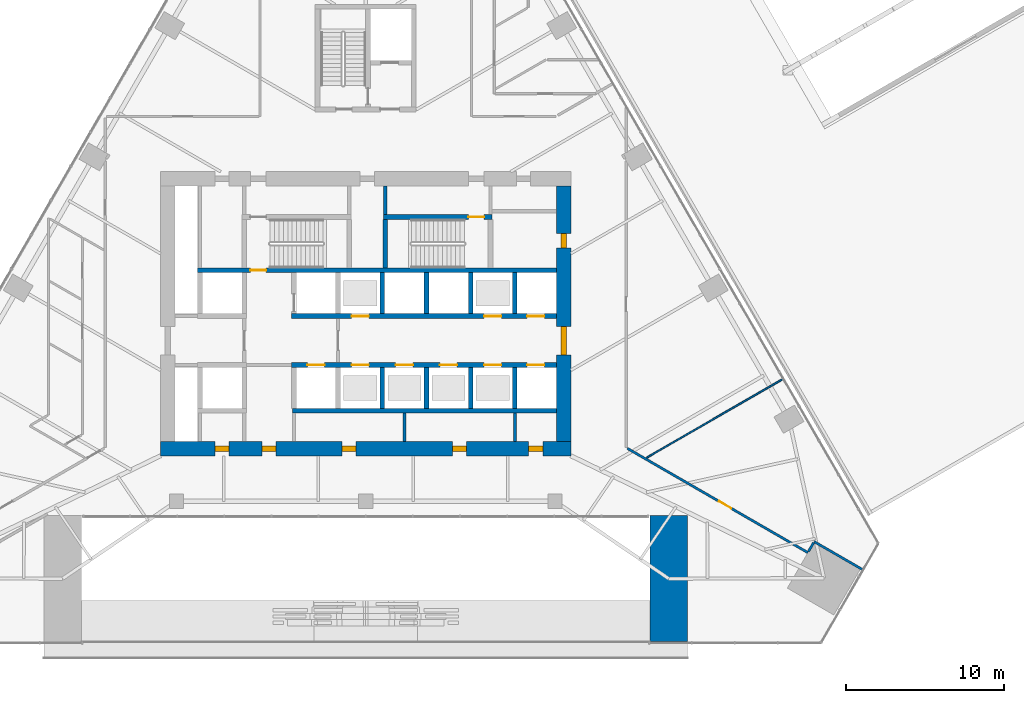
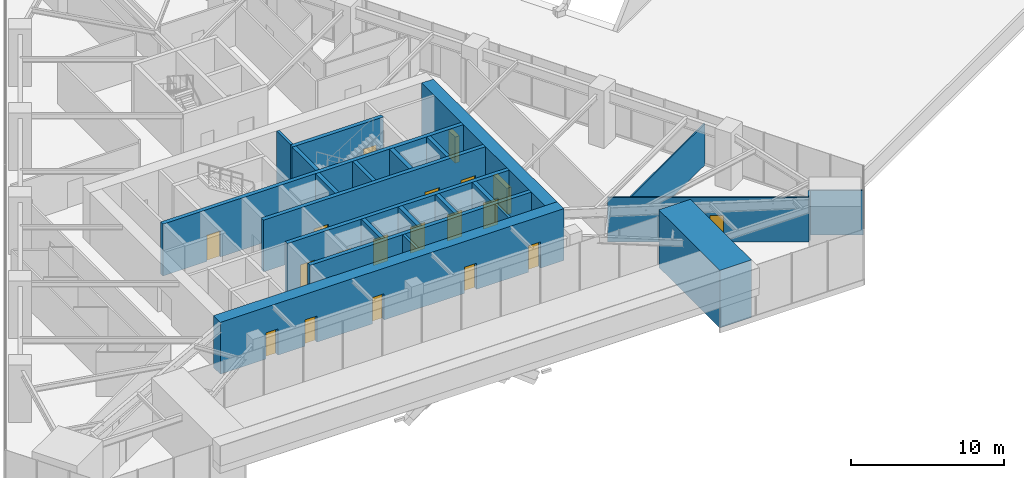
# One storey, part 19 of 23: 24 walls, 19 doors, 19 openings.
"""IFC4 building model written with IfcOpenShell, lengths in metres."""

from ifc_helpers import new_model, si_unit, direction, frame, frame_2d, origin, place, context, subcontext, project, spatial, rectangle, extrude, material, layer, layer_set, type_object, element, fill, save


model = new_model("IFC4")

# Units and contexts
model_context = context("Model", 3, precision=1e-05, world=origin(), true_north=direction((0.0, 1.0)))
body_context = subcontext(model_context, "Body", "Model", "MODEL_VIEW")
ifc_project = project(units=[si_unit("LENGTHUNIT", "METRE"), si_unit("AREAUNIT", "SQUARE_METRE"), si_unit("VOLUMEUNIT", "CUBIC_METRE"), si_unit("PLANEANGLEUNIT", "RADIAN"), si_unit("MASSUNIT", "GRAM", prefix="KILO")], contexts=[model_context])

# Site, building, storey
site_placement = place(None, origin())
site = spatial("IfcSite", under=ifc_project, at=site_placement, CompositionType="ELEMENT")
building_placement = place(site_placement, origin())
building = spatial("IfcBuilding", under=site, at=building_placement, Name="Firuza Gate Tower and Library", CompositionType="ELEMENT")
storey_placement = place(building_placement, frame((0.0, 0.0, 26.39990234375)))
storey = spatial("IfcBuildingStorey", under=building, at=storey_placement, Name="L05", CompositionType="ELEMENT", Elevation=26.39990234375)

# Walls
ifc_material_1 = material(Name="Plasterboard on steel studs", Category="steel")
ifc_layer_1 = layer(ifc_material_1, 0.199951171875)
ifc_layer_set_1 = layer_set([ifc_layer_1], Name="Core partition 200 EI 120")
wall_type_1 = type_object("IfcWallType", Name="Core partition 200 EI 120", PredefinedType="PARTITIONING", material=ifc_layer_set_1)
for number, where, z_axis, x_axis, name in (
    (1, (77.449951171875, 66.89990234375, 0.0), (0.0, 0.0, 1.0), (0.0, 1.0, 0.0), "Core partition L05 14"),
    (2, (84.449951171875, 66.89990234375, 0.0), (0.0, 0.0, 1.0), (0.0, 1.0, 0.0), "Core partition L05 16"),
):
    element("IfcWall", number, at=place(storey_placement, frame(where, z_axis=z_axis, x_axis=x_axis)), inside=storey, type_object=wall_type_1, Name=name, PredefinedType="PARTITIONING", context=body_context, shape_type="SweptSolid", body=[
        extrude(rectangle(XDim=1.800048828125, YDim=0.199951171875, at=frame_2d((0.89990234375, 0.0))), origin(), (0.0, 0.0, 1.0), 4.150146484375),
    ])
ifc_material_2 = material(Name="Plasterboard on steel studs", Category="steel")
ifc_layer_2 = layer(ifc_material_2, 0.199951171875)
ifc_layer_set_2 = layer_set([ifc_layer_2], Name="Core partition 200 EI 60")
wall_type_2 = type_object("IfcWallType", Name="Core partition 200 EI 60", PredefinedType="PARTITIONING", material=ifc_layer_set_2)
wall_1_placement = place(storey_placement, frame((76.239990234375, 81.280029296875, 0.0), z_axis=(0.0, 0.0, 1.0), x_axis=(0.0, 1.0, 0.0)))
element("IfcWall", 3, at=wall_1_placement, inside=storey, type_object=wall_type_2, Name="Core partition L05 13", PredefinedType="PARTITIONING", context=body_context, shape_type="SweptSolid", body=[
    extrude(rectangle(XDim=1.820068359375, YDim=0.199951171875, at=frame_2d((0.91015625, 0.0))), origin(), (0.0, 0.0, 1.0), 4.150146484375),
])
ifc_material_3 = material(Name="Concrete C80/95", Category="concrete")
ifc_layer_3 = layer(ifc_material_3, 0.300048828125)
ifc_layer_set_3 = layer_set([ifc_layer_3], Name="Core wall 300 C80/95")
wall_type_3 = type_object("IfcWallType", Name="Core wall 300 C80/95", PredefinedType="SHEAR", material=ifc_layer_set_3)
wall_2_placement = place(storey_placement, frame((70.35009765625, 68.85009765625, 0.0), z_axis=(0.0, 0.0, 1.0), x_axis=(1.0, 0.0, 0.0)))
element("IfcWall", 4, at=wall_2_placement, inside=storey, type_object=wall_type_3, Name="Core wall L05 6", PredefinedType="SHEAR", context=body_context, shape_type="SweptSolid", body=[
    extrude(rectangle(XDim=16.75, YDim=0.300048828125, at=frame_2d((8.375, 0.0))), origin(), (0.0, 0.0, 1.0), 4.150146484375),
])

# Wall, openings, doors
wall_3_placement = place(storey_placement, frame((70.300048828125, 71.75, 0.0), z_axis=(0.0, 0.0, 1.0), x_axis=(1.0, 0.0, 0.0)))
wall_3 = element("IfcWall", 5, at=wall_3_placement, inside=storey, type_object=wall_type_3, Name="Core wall L05 8", PredefinedType="SHEAR", context=body_context, shape_type="SweptSolid", body=[
    extrude(rectangle(XDim=16.800048828125, YDim=0.300048828125, at=frame_2d((8.39990234375, 0.0))), origin(), (0.0, 0.0, 1.0), 4.150146484375),
])
opening_1_placement = place(wall_3_placement, frame((1.0, 0.0, 0.0)))
opening_1 = element("IfcOpeningElement", 6, at=opening_1_placement, cuts=wall_3, Name="Opening LD-FF1-L05", PredefinedType="OPENING", context=body_context, shape_type="SweptSolid", body=[
    extrude(rectangle(XDim=1.10009765625, YDim=2.10009765625, at=frame_2d((0.550048828125, 1.050048828125))), frame((0.0, 0.16015625, 0.0), z_axis=(0.0, -1.0, 0.0), x_axis=(1.0, 0.0, 0.0)), (0.0, 0.0, 1.0), 0.320068359375),
])
opening_2_placement = place(wall_3_placement, frame((3.800048828125, 0.0, 0.0)))
opening_2 = element("IfcOpeningElement", 7, at=opening_2_placement, cuts=wall_3, Name="Opening LD-LR1-L05", PredefinedType="OPENING", context=body_context, shape_type="SweptSolid", body=[
    extrude(rectangle(XDim=1.10009765625, YDim=2.10009765625, at=frame_2d((0.550048828125, 1.050048828125))), frame((0.0, 0.16015625, 0.0), z_axis=(0.0, -1.0, 0.0), x_axis=(1.0, 0.0, 0.0)), (0.0, 0.0, 1.0), 0.320068359375),
])
opening_3_placement = place(wall_3_placement, frame((6.60009765625, 0.0, 0.0)))
opening_3 = element("IfcOpeningElement", 8, at=opening_3_placement, cuts=wall_3, Name="Opening LD-LR2-L05", PredefinedType="OPENING", context=body_context, shape_type="SweptSolid", body=[
    extrude(rectangle(XDim=1.10009765625, YDim=2.10009765625, at=frame_2d((0.550048828125, 1.050048828125))), frame((0.0, 0.16015625, 0.0), z_axis=(0.0, -1.0, 0.0), x_axis=(1.0, 0.0, 0.0)), (0.0, 0.0, 1.0), 0.320068359375),
])
opening_4_placement = place(wall_3_placement, frame((9.39990234375, 0.0, 0.0)))
opening_4 = element("IfcOpeningElement", 9, at=opening_4_placement, cuts=wall_3, Name="Opening LD-LR3-L05", PredefinedType="OPENING", context=body_context, shape_type="SweptSolid", body=[
    extrude(rectangle(XDim=1.10009765625, YDim=2.10009765625, at=frame_2d((0.550048828125, 1.050048828125))), frame((0.0, 0.16015625, 0.0), z_axis=(0.0, -1.0, 0.0), x_axis=(1.0, 0.0, 0.0)), (0.0, 0.0, 1.0), 0.320068359375),
])
opening_5_placement = place(wall_3_placement, frame((12.199951171875, 0.0, 0.0)))
opening_5 = element("IfcOpeningElement", 10, at=opening_5_placement, cuts=wall_3, Name="Opening LD-LR5-L05", PredefinedType="OPENING", context=body_context, shape_type="SweptSolid", body=[
    extrude(rectangle(XDim=1.10009765625, YDim=2.10009765625, at=frame_2d((0.550048828125, 1.050048828125))), frame((0.0, 0.16015625, 0.0), z_axis=(0.0, -1.0, 0.0), x_axis=(1.0, 0.0, 0.0)), (0.0, 0.0, 1.0), 0.320068359375),
])
opening_6_placement = place(wall_3_placement, frame((14.925048828125, 0.0, 0.0)))
opening_6 = element("IfcOpeningElement", 11, at=opening_6_placement, cuts=wall_3, Name="Opening LD-LR7-L05", PredefinedType="OPENING", context=body_context, shape_type="SweptSolid", body=[
    extrude(rectangle(XDim=1.10009765625, YDim=2.10009765625, at=frame_2d((0.550048828125, 1.050048828125))), frame((0.0, 0.16015625, 0.0), z_axis=(0.0, -1.0, 0.0), x_axis=(1.0, 0.0, 0.0)), (0.0, 0.0, 1.0), 0.320068359375),
])
ifc_material_4 = material(Name="Stainless steel", Category="steel")
door_type_1 = type_object("IfcDoorType", Name="Lift landing door 1100x2100", OperationType="DOUBLE_DOOR_SLIDING", PredefinedType="DOOR", material=ifc_material_4)
door_1_placement = place(opening_1_placement, origin())
door_1 = element("IfcDoor", 12, at=door_1_placement, inside=storey, type_object=door_type_1, Name="Landing door FF1 L05", OperationType="DOUBLE_DOOR_SLIDING", OverallHeight=2.10009765625, OverallWidth=1.10009765625, PredefinedType="DOOR", context=body_context, shape_type="SweptSolid", body=[
    extrude(rectangle(XDim=1.10009765625, YDim=2.10009765625, at=frame_2d((0.550048828125, 1.050048828125))), frame((0.0, 0.02490234375, 0.0), z_axis=(0.0, -1.0, 0.0), x_axis=(1.0, 0.0, 0.0)), (0.0, 0.0, 1.0), 0.050048828125),
])
fill(opening_1, door_1)
door_2_placement = place(opening_2_placement, origin())
door_2 = element("IfcDoor", 13, at=door_2_placement, inside=storey, type_object=door_type_1, Name="Landing door LR1 L05", OperationType="DOUBLE_DOOR_SLIDING", OverallHeight=2.10009765625, OverallWidth=1.10009765625, PredefinedType="DOOR", context=body_context, shape_type="SweptSolid", body=[
    extrude(rectangle(XDim=1.10009765625, YDim=2.10009765625, at=frame_2d((0.550048828125, 1.050048828125))), frame((0.0, 0.02490234375, 0.0), z_axis=(0.0, -1.0, 0.0), x_axis=(1.0, 0.0, 0.0)), (0.0, 0.0, 1.0), 0.050048828125),
])
fill(opening_2, door_2)
door_3_placement = place(opening_3_placement, origin())
door_3 = element("IfcDoor", 14, at=door_3_placement, inside=storey, type_object=door_type_1, Name="Landing door LR2 L05", OperationType="DOUBLE_DOOR_SLIDING", OverallHeight=2.10009765625, OverallWidth=1.10009765625, PredefinedType="DOOR", context=body_context, shape_type="SweptSolid", body=[
    extrude(rectangle(XDim=1.10009765625, YDim=2.10009765625, at=frame_2d((0.550048828125, 1.050048828125))), frame((0.0, 0.02490234375, 0.0), z_axis=(0.0, -1.0, 0.0), x_axis=(1.0, 0.0, 0.0)), (0.0, 0.0, 1.0), 0.050048828125),
])
fill(opening_3, door_3)
door_4_placement = place(opening_4_placement, origin())
door_4 = element("IfcDoor", 15, at=door_4_placement, inside=storey, type_object=door_type_1, Name="Landing door LR3 L05", OperationType="DOUBLE_DOOR_SLIDING", OverallHeight=2.10009765625, OverallWidth=1.10009765625, PredefinedType="DOOR", context=body_context, shape_type="SweptSolid", body=[
    extrude(rectangle(XDim=1.10009765625, YDim=2.10009765625, at=frame_2d((0.550048828125, 1.050048828125))), frame((0.0, 0.02490234375, 0.0), z_axis=(0.0, -1.0, 0.0), x_axis=(1.0, 0.0, 0.0)), (0.0, 0.0, 1.0), 0.050048828125),
])
fill(opening_4, door_4)
door_5_placement = place(opening_5_placement, origin())
door_5 = element("IfcDoor", 16, at=door_5_placement, inside=storey, type_object=door_type_1, Name="Landing door LR5 L05", OperationType="DOUBLE_DOOR_SLIDING", OverallHeight=2.10009765625, OverallWidth=1.10009765625, PredefinedType="DOOR", context=body_context, shape_type="SweptSolid", body=[
    extrude(rectangle(XDim=1.10009765625, YDim=2.10009765625, at=frame_2d((0.550048828125, 1.050048828125))), frame((0.0, 0.02490234375, 0.0), z_axis=(0.0, -1.0, 0.0), x_axis=(1.0, 0.0, 0.0)), (0.0, 0.0, 1.0), 0.050048828125),
])
fill(opening_5, door_5)
door_6_placement = place(opening_6_placement, origin())
door_6 = element("IfcDoor", 17, at=door_6_placement, inside=storey, type_object=door_type_1, Name="Landing door LR7 L05", OperationType="DOUBLE_DOOR_SLIDING", OverallHeight=2.10009765625, OverallWidth=1.10009765625, PredefinedType="DOOR", context=body_context, shape_type="SweptSolid", body=[
    extrude(rectangle(XDim=1.10009765625, YDim=2.10009765625, at=frame_2d((0.550048828125, 1.050048828125))), frame((0.0, 0.02490234375, 0.0), z_axis=(0.0, -1.0, 0.0), x_axis=(1.0, 0.0, 0.0)), (0.0, 0.0, 1.0), 0.050048828125),
])
fill(opening_6, door_6)

wall_4_placement = place(storey_placement, frame((70.300048828125, 74.85009765625, 0.0), z_axis=(0.0, 0.0, 1.0), x_axis=(1.0, 0.0, 0.0)))
wall_4 = element("IfcWall", 18, at=wall_4_placement, inside=storey, type_object=wall_type_3, Name="Core wall L05 10", PredefinedType="SHEAR", context=body_context, shape_type="SweptSolid", body=[
    extrude(rectangle(XDim=16.800048828125, YDim=0.300048828125, at=frame_2d((8.39990234375, 0.0))), origin(), (0.0, 0.0, 1.0), 4.150146484375),
])
opening_7_placement = place(wall_4_placement, frame((3.800048828125, 0.0, 0.0)))
opening_7 = element("IfcOpeningElement", 19, at=opening_7_placement, cuts=wall_4, Name="Opening LD-LR4-L05", PredefinedType="OPENING", context=body_context, shape_type="SweptSolid", body=[
    extrude(rectangle(XDim=1.10009765625, YDim=2.10009765625, at=frame_2d((0.550048828125, 1.050048828125))), frame((0.0, 0.16015625, 0.0), z_axis=(0.0, -1.0, 0.0), x_axis=(1.0, 0.0, 0.0)), (0.0, 0.0, 1.0), 0.320068359375),
])
opening_8_placement = place(wall_4_placement, frame((12.199951171875, 0.0, 0.0)))
opening_8 = element("IfcOpeningElement", 20, at=opening_8_placement, cuts=wall_4, Name="Opening LD-LR6-L05", PredefinedType="OPENING", context=body_context, shape_type="SweptSolid", body=[
    extrude(rectangle(XDim=1.10009765625, YDim=2.10009765625, at=frame_2d((0.550048828125, 1.050048828125))), frame((0.0, 0.16015625, 0.0), z_axis=(0.0, -1.0, 0.0), x_axis=(1.0, 0.0, 0.0)), (0.0, 0.0, 1.0), 0.320068359375),
])
opening_9_placement = place(wall_4_placement, frame((14.925048828125, 0.0, 0.0)))
opening_9 = element("IfcOpeningElement", 21, at=opening_9_placement, cuts=wall_4, Name="Opening LD-LR8-L05", PredefinedType="OPENING", context=body_context, shape_type="SweptSolid", body=[
    extrude(rectangle(XDim=1.10009765625, YDim=2.10009765625, at=frame_2d((0.550048828125, 1.050048828125))), frame((0.0, 0.16015625, 0.0), z_axis=(0.0, -1.0, 0.0), x_axis=(1.0, 0.0, 0.0)), (0.0, 0.0, 1.0), 0.320068359375),
])
door_7_placement = place(opening_7_placement, origin())
door_7 = element("IfcDoor", 22, at=door_7_placement, inside=storey, type_object=door_type_1, Name="Landing door LR4 L05", OperationType="DOUBLE_DOOR_SLIDING", OverallHeight=2.10009765625, OverallWidth=1.10009765625, PredefinedType="DOOR", context=body_context, shape_type="SweptSolid", body=[
    extrude(rectangle(XDim=1.10009765625, YDim=2.10009765625, at=frame_2d((0.550048828125, 1.050048828125))), frame((0.0, 0.02490234375, 0.0), z_axis=(0.0, -1.0, 0.0), x_axis=(1.0, 0.0, 0.0)), (0.0, 0.0, 1.0), 0.050048828125),
])
fill(opening_7, door_7)
door_8_placement = place(opening_8_placement, origin())
door_8 = element("IfcDoor", 23, at=door_8_placement, inside=storey, type_object=door_type_1, Name="Landing door LR6 L05", OperationType="DOUBLE_DOOR_SLIDING", OverallHeight=2.10009765625, OverallWidth=1.10009765625, PredefinedType="DOOR", context=body_context, shape_type="SweptSolid", body=[
    extrude(rectangle(XDim=1.10009765625, YDim=2.10009765625, at=frame_2d((0.550048828125, 1.050048828125))), frame((0.0, 0.02490234375, 0.0), z_axis=(0.0, -1.0, 0.0), x_axis=(1.0, 0.0, 0.0)), (0.0, 0.0, 1.0), 0.050048828125),
])
fill(opening_8, door_8)
door_9_placement = place(opening_9_placement, origin())
door_9 = element("IfcDoor", 24, at=door_9_placement, inside=storey, type_object=door_type_1, Name="Landing door LR8 L05", OperationType="DOUBLE_DOOR_SLIDING", OverallHeight=2.10009765625, OverallWidth=1.10009765625, PredefinedType="DOOR", context=body_context, shape_type="SweptSolid", body=[
    extrude(rectangle(XDim=1.10009765625, YDim=2.10009765625, at=frame_2d((0.550048828125, 1.050048828125))), frame((0.0, 0.02490234375, 0.0), z_axis=(0.0, -1.0, 0.0), x_axis=(1.0, 0.0, 0.0)), (0.0, 0.0, 1.0), 0.050048828125),
])
fill(opening_9, door_9)

# Walls
for number, where, z_axis, x_axis, name in (
    (25, (76.050048828125, 69.0, 0.0), (0.0, 0.0, 1.0), (0.0, 1.0, 0.0), "Core wall L05 19"),
    (26, (76.050048828125, 75.0, 0.0), (0.0, 0.0, 1.0), (0.0, 1.0, 0.0), "Core wall L05 20"),
    (27, (78.85009765625, 69.0, 0.0), (0.0, 0.0, 1.0), (0.0, 1.0, 0.0), "Core wall L05 21"),
    (28, (78.85009765625, 75.0, 0.0), (0.0, 0.0, 1.0), (0.0, 1.0, 0.0), "Core wall L05 22"),
    (29, (81.64990234375, 69.0, 0.0), (0.0, 0.0, 1.0), (0.0, 1.0, 0.0), "Core wall L05 23"),
    (30, (81.64990234375, 75.0, 0.0), (0.0, 0.0, 1.0), (0.0, 1.0, 0.0), "Core wall L05 24"),
    (31, (84.449951171875, 69.0, 0.0), (0.0, 0.0, 1.0), (0.0, 1.0, 0.0), "Core wall L05 25"),
    (32, (84.449951171875, 75.0, 0.0), (0.0, 0.0, 1.0), (0.0, 1.0, 0.0), "Core wall L05 26"),
):
    element("IfcWall", number, at=place(storey_placement, frame(where, z_axis=z_axis, x_axis=x_axis)), inside=storey, type_object=wall_type_3, Name=name, PredefinedType="SHEAR", context=body_context, shape_type="SweptSolid", body=[
        extrude(rectangle(XDim=2.60009765625, YDim=0.300048828125, at=frame_2d((1.300048828125, 0.0))), origin(), (0.0, 0.0, 1.0), 4.150146484375),
    ])

# Wall, opening, door
wall_5_placement = place(storey_placement, frame((64.35009765625, 77.75, 0.0), z_axis=(0.0, 0.0, 1.0), x_axis=(1.0, 0.0, 0.0)))
wall_5 = element("IfcWall", 33, at=wall_5_placement, inside=storey, type_object=wall_type_3, Name="Core wall L05 27", PredefinedType="SHEAR", context=body_context, shape_type="SweptSolid", body=[
    extrude(rectangle(XDim=22.75, YDim=0.300048828125, at=frame_2d((11.375, 0.0))), origin(), (0.0, 0.0, 1.0), 4.150146484375),
])
opening_10_placement = place(wall_5_placement, frame((3.344970703125, 0.0, 0.0)))
opening_10 = element("IfcOpeningElement", 34, at=opening_10_placement, cuts=wall_5, Name="Opening L05-K12", PredefinedType="OPENING", context=body_context, shape_type="SweptSolid", body=[
    extrude(rectangle(XDim=1.0, YDim=2.10009765625, at=frame_2d((0.5, 1.050048828125))), frame((0.0, 0.16015625, 0.0), z_axis=(0.0, -1.0, 0.0), x_axis=(1.0, 0.0, 0.0)), (0.0, 0.0, 1.0), 0.320068359375),
])
ifc_material_5 = material(Name="Steel", Category="steel")
door_type_2 = type_object("IfcDoorType", Name="Fire door 1000x2100 FD90", OperationType="NOTDEFINED", PredefinedType="DOOR", material=ifc_material_5)
door_10_placement = place(opening_10_placement, origin())
door_10 = element("IfcDoor", 35, at=door_10_placement, inside=storey, type_object=door_type_2, Name="Door L05-K12", OperationType="SINGLE_SWING_LEFT", OverallHeight=2.10009765625, OverallWidth=1.0, PredefinedType="DOOR", context=body_context, shape_type="SweptSolid", body=[
    extrude(rectangle(XDim=1.0, YDim=2.10009765625, at=frame_2d((0.5, 1.050048828125))), frame((0.0, 0.02490234375, 0.0), z_axis=(0.0, -1.0, 0.0), x_axis=(1.0, 0.0, 0.0)), (0.0, 0.0, 1.0), 0.050048828125),
])
fill(opening_10, door_10)

wall_6_placement = place(storey_placement, frame((76.139892578125, 81.1298828125, 0.0), z_axis=(0.0, 0.0, 1.0), x_axis=(1.0, 0.0, 0.0)))
wall_6 = element("IfcWall", 36, at=wall_6_placement, inside=storey, type_object=wall_type_3, Name="Core wall L05 29", PredefinedType="SHEAR", context=body_context, shape_type="SweptSolid", body=[
    extrude(rectangle(XDim=6.860107421875, YDim=0.300048828125, at=frame_2d((3.43017578125, 0.0))), origin(), (0.0, 0.0, 1.0), 4.150146484375),
])
opening_11_placement = place(wall_6_placement, frame((5.364990234375, 0.0, 0.0)))
opening_11 = element("IfcOpeningElement", 37, at=opening_11_placement, cuts=wall_6, Name="Opening L05-K15", PredefinedType="OPENING", context=body_context, shape_type="SweptSolid", body=[
    extrude(rectangle(XDim=1.0, YDim=2.10009765625, at=frame_2d((0.5, 1.050048828125))), frame((0.0, 0.16015625, 0.0), z_axis=(0.0, -1.0, 0.0), x_axis=(1.0, 0.0, 0.0)), (0.0, 0.0, 1.0), 0.320068359375),
])
door_11_placement = place(opening_11_placement, origin())
door_11 = element("IfcDoor", 38, at=door_11_placement, inside=storey, type_object=door_type_2, Name="Door L05-K15", OperationType="SINGLE_SWING_RIGHT", OverallHeight=2.10009765625, OverallWidth=1.0, PredefinedType="DOOR", context=body_context, shape_type="SweptSolid", body=[
    extrude(rectangle(XDim=1.0, YDim=2.10009765625, at=frame_2d((0.5, 1.050048828125))), frame((0.0, 0.02490234375, 0.0), z_axis=(0.0, -1.0, 0.0), x_axis=(1.0, 0.0, 0.0)), (0.0, 0.0, 1.0), 0.050048828125),
])
fill(opening_11, door_11)

# Wall
wall_7_placement = place(storey_placement, frame((76.239990234375, 77.89990234375, 0.0), z_axis=(0.0, 0.0, 1.0), x_axis=(0.0, 1.0, 0.0)))
element("IfcWall", 39, at=wall_7_placement, inside=storey, type_object=wall_type_3, Name="Core wall L05 32", PredefinedType="SHEAR", context=body_context, shape_type="SweptSolid", body=[
    extrude(rectangle(XDim=3.080078125, YDim=0.300048828125, at=frame_2d((1.5400390625, 0.0))), origin(), (0.0, 0.0, 1.0), 4.150146484375),
])

# Wall, openings, doors
ifc_material_6 = material(Name="Concrete C80/95", Category="concrete")
ifc_layer_4 = layer(ifc_material_6, 0.89990234375)
ifc_layer_set_4 = layer_set([ifc_layer_4], Name="Core wall 900 C80/95")
wall_type_4 = type_object("IfcWallType", Name="Core wall 900 C80/95", PredefinedType="SHEAR", material=ifc_layer_set_4)
wall_8_placement = place(storey_placement, frame((62.0, 66.449951171875, 0.0), z_axis=(0.0, 0.0, 1.0), x_axis=(1.0, 0.0, 0.0)))
wall_8 = element("IfcWall", 40, at=wall_8_placement, inside=storey, type_object=wall_type_4, Name="Core wall L05 1", PredefinedType="SHEAR", context=body_context, shape_type="SweptSolid", body=[
    extrude(rectangle(XDim=26.0, YDim=0.89990234375, at=frame_2d((13.0, 0.0))), origin(), (0.0, 0.0, 1.0), 4.150146484375),
])
opening_12_placement = place(wall_8_placement, frame((3.449951171875, 0.0, 0.0)))
opening_12 = element("IfcOpeningElement", 41, at=opening_12_placement, cuts=wall_8, Name="Opening L05-K24", PredefinedType="OPENING", context=body_context, shape_type="SweptSolid", body=[
    extrude(rectangle(XDim=0.89990234375, YDim=2.10009765625, at=frame_2d((0.449951171875, 1.050048828125))), frame((0.0, 0.4599609375, 0.0), z_axis=(0.0, -1.0, 0.0), x_axis=(1.0, 0.0, 0.0)), (0.0, 0.0, 1.0), 0.919921875),
])
opening_13_placement = place(wall_8_placement, frame((6.425048828125, 0.0, 0.0)))
opening_13 = element("IfcOpeningElement", 42, at=opening_13_placement, cuts=wall_8, Name="Opening L05-K25", PredefinedType="OPENING", context=body_context, shape_type="SweptSolid", body=[
    extrude(rectangle(XDim=0.89990234375, YDim=2.10009765625, at=frame_2d((0.449951171875, 1.050048828125))), frame((0.0, 0.4599609375, 0.0), z_axis=(0.0, -1.0, 0.0), x_axis=(1.0, 0.0, 0.0)), (0.0, 0.0, 1.0), 0.919921875),
])
opening_14_placement = place(wall_8_placement, frame((11.5, 0.0, 0.0)))
opening_14 = element("IfcOpeningElement", 43, at=opening_14_placement, cuts=wall_8, Name="Opening L05-K26", PredefinedType="OPENING", context=body_context, shape_type="SweptSolid", body=[
    extrude(rectangle(XDim=0.89990234375, YDim=2.10009765625, at=frame_2d((0.449951171875, 1.050048828125))), frame((0.0, 0.4599609375, 0.0), z_axis=(0.0, -1.0, 0.0), x_axis=(1.0, 0.0, 0.0)), (0.0, 0.0, 1.0), 0.919921875),
])
opening_15_placement = place(wall_8_placement, frame((18.5, 0.0, 0.0)))
opening_15 = element("IfcOpeningElement", 44, at=opening_15_placement, cuts=wall_8, Name="Opening L05-K27", PredefinedType="OPENING", context=body_context, shape_type="SweptSolid", body=[
    extrude(rectangle(XDim=0.89990234375, YDim=2.10009765625, at=frame_2d((0.449951171875, 1.050048828125))), frame((0.0, 0.4599609375, 0.0), z_axis=(0.0, -1.0, 0.0), x_axis=(1.0, 0.0, 0.0)), (0.0, 0.0, 1.0), 0.919921875),
])
opening_16_placement = place(wall_8_placement, frame((23.324951171875, 0.0, 0.0)))
opening_16 = element("IfcOpeningElement", 45, at=opening_16_placement, cuts=wall_8, Name="Opening L05-K28", PredefinedType="OPENING", context=body_context, shape_type="SweptSolid", body=[
    extrude(rectangle(XDim=0.89990234375, YDim=2.10009765625, at=frame_2d((0.449951171875, 1.050048828125))), frame((0.0, 0.4599609375, 0.0), z_axis=(0.0, -1.0, 0.0), x_axis=(1.0, 0.0, 0.0)), (0.0, 0.0, 1.0), 0.919921875),
])
ifc_material_7 = material(Name="Steel", Category="steel")
door_type_3 = type_object("IfcDoorType", Name="Fire door 900x2100 FD30S", OperationType="NOTDEFINED", PredefinedType="DOOR", material=ifc_material_7)
door_12_placement = place(opening_12_placement, origin())
door_12 = element("IfcDoor", 46, at=door_12_placement, inside=storey, type_object=door_type_3, Name="Door L05-K24", OperationType="SINGLE_SWING_LEFT", OverallHeight=2.10009765625, OverallWidth=0.89990234375, PredefinedType="DOOR", context=body_context, shape_type="SweptSolid", body=[
    extrude(rectangle(XDim=0.89990234375, YDim=2.10009765625, at=frame_2d((0.449951171875, 1.050048828125))), frame((0.0, 0.169921875, 0.0), z_axis=(0.0, -1.0, 0.0), x_axis=(1.0, 0.0, 0.0)), (0.0, 0.0, 1.0), 0.33984375),
])
fill(opening_12, door_12)
door_13_placement = place(opening_13_placement, origin())
door_13 = element("IfcDoor", 47, at=door_13_placement, inside=storey, type_object=door_type_3, Name="Door L05-K25", OperationType="SINGLE_SWING_RIGHT", OverallHeight=2.10009765625, OverallWidth=0.89990234375, PredefinedType="DOOR", context=body_context, shape_type="SweptSolid", body=[
    extrude(rectangle(XDim=0.89990234375, YDim=2.10009765625, at=frame_2d((0.449951171875, 1.050048828125))), frame((0.0, 0.169921875, 0.0), z_axis=(0.0, -1.0, 0.0), x_axis=(1.0, 0.0, 0.0)), (0.0, 0.0, 1.0), 0.33984375),
])
fill(opening_13, door_13)
door_14_placement = place(opening_14_placement, origin())
door_14 = element("IfcDoor", 48, at=door_14_placement, inside=storey, type_object=door_type_3, Name="Door L05-K26", OperationType="SINGLE_SWING_LEFT", OverallHeight=2.10009765625, OverallWidth=0.89990234375, PredefinedType="DOOR", context=body_context, shape_type="SweptSolid", body=[
    extrude(rectangle(XDim=0.89990234375, YDim=2.10009765625, at=frame_2d((0.449951171875, 1.050048828125))), frame((0.0, 0.169921875, 0.0), z_axis=(0.0, -1.0, 0.0), x_axis=(1.0, 0.0, 0.0)), (0.0, 0.0, 1.0), 0.33984375),
])
fill(opening_14, door_14)
door_15_placement = place(opening_15_placement, origin())
door_15 = element("IfcDoor", 49, at=door_15_placement, inside=storey, type_object=door_type_3, Name="Door L05-K27", OperationType="SINGLE_SWING_RIGHT", OverallHeight=2.10009765625, OverallWidth=0.89990234375, PredefinedType="DOOR", context=body_context, shape_type="SweptSolid", body=[
    extrude(rectangle(XDim=0.89990234375, YDim=2.10009765625, at=frame_2d((0.449951171875, 1.050048828125))), frame((0.0, 0.169921875, 0.0), z_axis=(0.0, -1.0, 0.0), x_axis=(1.0, 0.0, 0.0)), (0.0, 0.0, 1.0), 0.33984375),
])
fill(opening_15, door_15)
door_16_placement = place(opening_16_placement, origin())
door_16 = element("IfcDoor", 50, at=door_16_placement, inside=storey, type_object=door_type_3, Name="Door L05-K28", OperationType="SINGLE_SWING_LEFT", OverallHeight=2.10009765625, OverallWidth=0.89990234375, PredefinedType="DOOR", context=body_context, shape_type="SweptSolid", body=[
    extrude(rectangle(XDim=0.89990234375, YDim=2.10009765625, at=frame_2d((0.449951171875, 1.050048828125))), frame((0.0, 0.169921875, 0.0), z_axis=(0.0, -1.0, 0.0), x_axis=(1.0, 0.0, 0.0)), (0.0, 0.0, 1.0), 0.33984375),
])
fill(opening_16, door_16)

wall_9_placement = place(storey_placement, frame((87.550048828125, 66.89990234375, 0.0), z_axis=(0.0, 0.0, 1.0), x_axis=(0.0, 1.0, 0.0)))
wall_9 = element("IfcWall", 51, at=wall_9_placement, inside=storey, type_object=wall_type_4, Name="Core wall L05 4", PredefinedType="SHEAR", context=body_context, shape_type="SweptSolid", body=[
    extrude(rectangle(XDim=16.2001953125, YDim=0.89990234375, at=frame_2d((8.10009765625, 0.0))), origin(), (0.0, 0.0, 1.0), 4.150146484375),
])
opening_17_placement = place(wall_9_placement, frame((5.5, 0.0, 0.0)))
opening_17 = element("IfcOpeningElement", 52, at=opening_17_placement, cuts=wall_9, Name="Opening L05-K23", PredefinedType="OPENING", context=body_context, shape_type="SweptSolid", body=[
    extrude(rectangle(XDim=1.800048828125, YDim=2.10009765625, at=frame_2d((0.89990234375, 1.050048828125))), frame((0.0, 0.4599609375, 0.0), z_axis=(0.0, -1.0, 0.0), x_axis=(1.0, 0.0, 0.0)), (0.0, 0.0, 1.0), 0.919921875),
])
opening_18_placement = place(wall_9_placement, frame((12.2724609375, 0.0, 0.0)))
opening_18 = element("IfcOpeningElement", 53, at=opening_18_placement, cuts=wall_9, Name="Opening L05-K31", PredefinedType="OPENING", context=body_context, shape_type="SweptSolid", body=[
    extrude(rectangle(XDim=0.89990234375, YDim=2.10009765625, at=frame_2d((0.449951171875, 1.050048828125))), frame((0.0, 0.4599609375, 0.0), z_axis=(0.0, -1.0, 0.0), x_axis=(1.0, 0.0, 0.0)), (0.0, 0.0, 1.0), 0.919921875),
])
ifc_material_8 = material(Name="Steel", Category="steel")
door_type_4 = type_object("IfcDoorType", Name="Fire door 1800x2100 FD30S", OperationType="NOTDEFINED", PredefinedType="DOOR", material=ifc_material_8)
door_17_placement = place(opening_17_placement, origin())
door_17 = element("IfcDoor", 54, at=door_17_placement, inside=storey, type_object=door_type_4, Name="Door L05-K23", OperationType="SINGLE_SWING_RIGHT", OverallHeight=2.10009765625, OverallWidth=1.800048828125, PredefinedType="DOOR", context=body_context, shape_type="SweptSolid", body=[
    extrude(rectangle(XDim=1.800048828125, YDim=2.10009765625, at=frame_2d((0.89990234375, 1.050048828125))), frame((0.0, 0.169921875, 0.0), z_axis=(0.0, -1.0, 0.0), x_axis=(1.0, 0.0, 0.0)), (0.0, 0.0, 1.0), 0.33984375),
])
fill(opening_17, door_17)
door_18_placement = place(opening_18_placement, origin())
door_18 = element("IfcDoor", 55, at=door_18_placement, inside=storey, type_object=door_type_3, Name="Door L05-K31", OperationType="SINGLE_SWING_RIGHT", OverallHeight=2.10009765625, OverallWidth=0.89990234375, PredefinedType="DOOR", context=body_context, shape_type="SweptSolid", body=[
    extrude(rectangle(XDim=0.89990234375, YDim=2.10009765625, at=frame_2d((0.449951171875, 1.050048828125))), frame((0.0, 0.169921875, 0.0), z_axis=(0.0, -1.0, 0.0), x_axis=(1.0, 0.0, 0.0)), (0.0, 0.0, 1.0), 0.33984375),
])
fill(opening_18, door_18)

# Walls
ifc_material_9 = material(Name="Gypsum board partition")
ifc_layer_5 = layer(ifc_material_9, 0.14990234375)
ifc_layer_set_5 = layer_set([ifc_layer_5], Name="Corridor wall 150 double board on steel studs")
wall_type_5 = type_object("IfcWallType", Name="Corridor wall 150 double board on steel studs", PredefinedType="PARTITIONING", material=ifc_layer_set_5)
wall_10_placement = place(storey_placement, frame((103.0615234375, 59.93603515625, 0.0), z_axis=(0.0, 0.0, 1.0), x_axis=(0.500163094741, 0.865931220513, 0.0)))
element("IfcWall", 56, at=wall_10_placement, inside=storey, type_object=wall_type_5, Name="f:L05:w017", PredefinedType="PARTITIONING", context=body_context, shape_type="SweptSolid", body=[
    extrude(rectangle(XDim=0.639404296875, YDim=0.14990234375, at=frame_2d((0.31982421875, 0.0))), origin(), (0.0, 0.0, 1.0), 3.550048828125),
])
wall_11_placement = place(storey_placement, frame((106.501953125, 58.775390625, 0.0), z_axis=(0.0, 0.0, 1.0), x_axis=(-0.866014251095, 0.500019316528, 0.0)))
element("IfcWall", 57, at=wall_11_placement, inside=storey, type_object=wall_type_5, Name="f:L05:w034", PredefinedType="PARTITIONING", context=body_context, shape_type="SweptSolid", body=[
    extrude(rectangle(XDim=3.559326171875, YDim=0.14990234375, at=frame_2d((1.77978515625, 0.0))), origin(), (0.0, 0.0, 1.0), 3.550048828125),
])

# Wall, opening, door
wall_12_placement = place(storey_placement, frame((91.574951171875, 66.4697265625, 0.0), z_axis=(0.0, 0.0, 1.0), x_axis=(0.866027754727, -0.499995928025, 0.0)))
wall_12 = element("IfcWall", 58, at=wall_12_placement, inside=storey, type_object=wall_type_5, Name="f:L05:w035", PredefinedType="PARTITIONING", context=body_context, shape_type="SweptSolid", body=[
    extrude(rectangle(XDim=13.21435546875, YDim=0.14990234375, at=frame_2d((6.607177734375, 0.0))), origin(), (0.0, 0.0, 1.0), 3.550048828125),
])
opening_19_placement = place(wall_12_placement, frame((6.705078125, 0.0, 0.0)))
opening_19 = element("IfcOpeningElement", 59, at=opening_19_placement, cuts=wall_12, Name="Opening L05-15", PredefinedType="OPENING", context=body_context, shape_type="SweptSolid", body=[
    extrude(rectangle(XDim=0.89990234375, YDim=2.10009765625, at=frame_2d((0.449951171875, 1.050048828125))), frame((0.0, 0.0849609375, 0.0), z_axis=(0.0, -1.0, 0.0), x_axis=(1.0, 0.0, 0.0)), (0.0, 0.0, 1.0), 0.169921875),
])
ifc_material_10 = material(Name="Steel door and timber leaf", Category="steel")
door_type_5 = type_object("IfcDoorType", Name="Fire door 900 x 2100 steel frame, timber leaf", OperationType="NOTDEFINED", PredefinedType="DOOR", material=ifc_material_10)
door_19_placement = place(opening_19_placement, origin())
door_19 = element("IfcDoor", 60, at=door_19_placement, inside=storey, type_object=door_type_5, Name="f:L05:d015", OperationType="SINGLE_SWING_LEFT", OverallHeight=2.10009765625, OverallWidth=0.89990234375, PredefinedType="DOOR", context=body_context, shape_type="SweptSolid", body=[
    extrude(rectangle(XDim=0.89990234375, YDim=2.10009765625, at=frame_2d((0.449951171875, 1.050048828125))), frame((0.0, 0.02490234375, 0.0), z_axis=(0.0, -1.0, 0.0), x_axis=(1.0, 0.0, 0.0)), (0.0, 0.0, 1.0), 0.050048828125),
])
fill(opening_19, door_19)

# Walls
ifc_material_11 = material(Name="Concrete C80/95", Category="concrete")
ifc_layer_6 = layer(ifc_material_11, 2.39990234375)
ifc_layer_set_6 = layer_set([ifc_layer_6], Name="Iwan wall 2400 C80/95")
wall_type_6 = type_object("IfcWallType", Name="Iwan wall 2400 C80/95", PredefinedType="SHEAR", material=ifc_layer_set_6)
wall_13_placement = place(storey_placement, frame((94.199951171875, 54.21533203125, 0.0), z_axis=(0.0, 0.0, 1.0), x_axis=(0.0, 1.0, 0.0)))
element("IfcWall", 61, at=wall_13_placement, inside=storey, type_object=wall_type_6, Name="Iwan wall E L05", PredefinedType="SHEAR", context=body_context, shape_type="SweptSolid", body=[
    extrude(rectangle(XDim=8.0, YDim=2.39990234375, at=frame_2d((4.0, 0.0))), origin(), (0.0, 0.0, 1.0), 4.60009765625),
])
ifc_material_12 = material(Name="Gypsum board partition")
ifc_layer_7 = layer(ifc_material_12, 0.10009765625)
ifc_layer_set_7 = layer_set([ifc_layer_7], Name="Partition 100 gypsum board on steel studs")
wall_type_7 = type_object("IfcWallType", Name="Partition 100 gypsum board on steel studs", PredefinedType="PARTITIONING", material=ifc_layer_set_7)
wall_14_placement = place(storey_placement, frame((92.801025390625, 65.87841796875, 0.0), z_axis=(0.0, 0.0, 1.0), x_axis=(0.86602359872, 0.50000312645, 0.0)))
element("IfcWall", 62, at=wall_14_placement, inside=storey, type_object=wall_type_7, Name="f:L05:w007", PredefinedType="PARTITIONING", context=body_context, shape_type="SweptSolid", body=[
    extrude(rectangle(XDim=9.9892578125, YDim=0.10009765625, at=frame_2d((4.99462890625, 0.0))), origin(), (0.0, 0.0, 1.0), 3.315185546875),
])

save(model, "model.ifc")
